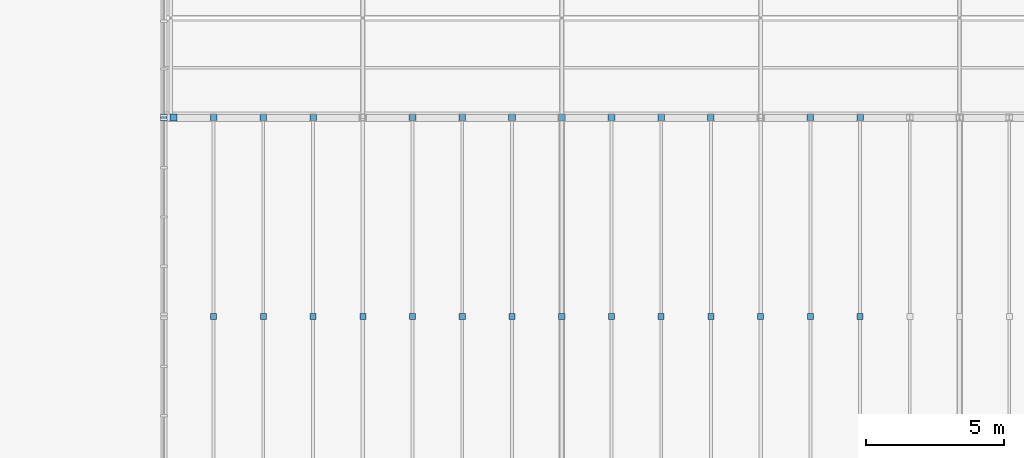
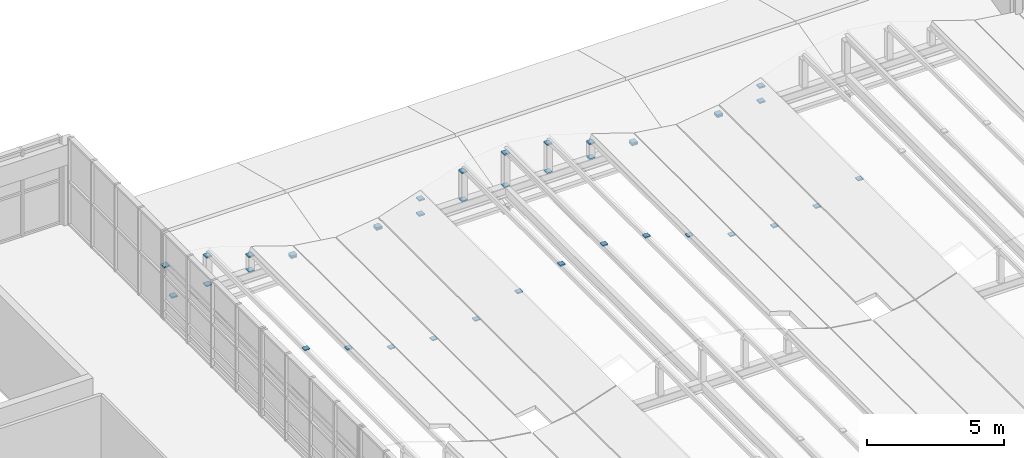
# One storey, part 72 of 83: 40 discrete accessories.
"""IFC4 building model written with IfcOpenShell, lengths in metres."""

from ifc_helpers import new_model, si_unit, direction, frame, origin, origin_2d, place, context, subcontext, project, spatial, rectangle, extrude, material, type_object, element, save


model = new_model("IFC4")

# Units and contexts
model_context = context("Model", 3, precision=1e-05, world=origin(), true_north=direction((0.0, 1.0)))
body_context = subcontext(model_context, "Body", "Model", "MODEL_VIEW")
ifc_project = project(units=[si_unit("LENGTHUNIT", "METRE"), si_unit("AREAUNIT", "SQUARE_METRE"), si_unit("VOLUMEUNIT", "CUBIC_METRE"), si_unit("PLANEANGLEUNIT", "RADIAN"), si_unit("MASSUNIT", "GRAM", prefix="KILO")], contexts=[model_context])

# Site, building, storey
site_placement = place(None, origin())
site = spatial("IfcSite", under=ifc_project, at=site_placement, CompositionType="ELEMENT")
building_placement = place(site_placement, origin())
building = spatial("IfcBuilding", under=site, at=building_placement, Name="Leyfeld Transit Interchange", CompositionType="ELEMENT")
storey_placement = place(building_placement, frame((0.0, 0.0, 5.39990234375)))
storey = spatial("IfcBuildingStorey", under=building, at=storey_placement, Name="L01", CompositionType="ELEMENT", Elevation=5.39990234375)

# Discrete accessories
ifc_material = material(Name="Steel S355J2", Category="steel")
discrete_accessory_type = type_object("IfcDiscreteAccessoryType", Name="ACC-BRK-PUR", PredefinedType="BRACKET", material=ifc_material)
for number, where, z_axis, x_axis, name in (
    (1, (101.14990234375, 43.199951171875, 0.85009765625), (0.0, 0.0, 1.0), (1.0, 0.0, 0.0), "Riser Post Base Shoe 007"),
    (2, (100.800048828125, 43.199951171875, 2.318115234375), (0.0, 0.0, 1.0), (1.0, 0.0, 0.0), "Riser Post Cap Shoe 007"),
):
    element("IfcDiscreteAccessory", number, at=place(storey_placement, frame(where, z_axis=z_axis, x_axis=x_axis)), inside=storey, type_object=discrete_accessory_type, Name=name, PredefinedType="BRACKET", context=body_context, shape_type="SweptSolid", body=[
        extrude(rectangle(XDim=0.239990234375, YDim=0.239990234375, at=origin_2d()), origin(), (0.0, 0.0, 1.0), 0.06005859375),
    ])
discrete_accessory_1_placement = place(storey_placement, frame((102.60009765625, 36.0, 2.349609375), z_axis=(0.0, 0.0, 1.0), x_axis=(1.0, 0.0, 0.0)))
element("IfcDiscreteAccessory", 3, at=discrete_accessory_1_placement, inside=storey, type_object=discrete_accessory_type, Name="Wave Shell Purlin Cleat 012", PredefinedType="BRACKET", context=body_context, shape_type="SweptSolid", body=[
    extrude(rectangle(XDim=0.219970703125, YDim=0.219970703125, at=origin_2d()), origin(), (0.0, 0.0, 1.0), 0.050048828125),
])
for number, where, z_axis, x_axis, name in (
    (4, (102.60009765625, 43.199951171875, 0.85009765625), (0.0, 0.0, 1.0), (1.0, 0.0, 0.0), "Riser Post Base Shoe 014"),
    (5, (102.60009765625, 43.199951171875, 2.1298828125), (0.0, 0.0, 1.0), (1.0, 0.0, 0.0), "Riser Post Cap Shoe 014"),
):
    element("IfcDiscreteAccessory", number, at=place(storey_placement, frame(where, z_axis=z_axis, x_axis=x_axis)), inside=storey, type_object=discrete_accessory_type, Name=name, PredefinedType="BRACKET", context=body_context, shape_type="SweptSolid", body=[
        extrude(rectangle(XDim=0.239990234375, YDim=0.239990234375, at=origin_2d()), origin(), (0.0, 0.0, 1.0), 0.06005859375),
    ])
discrete_accessory_2_placement = place(storey_placement, frame((104.39990234375, 36.0, 1.74658203125), z_axis=(0.0, 0.0, 1.0), x_axis=(1.0, 0.0, 0.0)))
element("IfcDiscreteAccessory", 6, at=discrete_accessory_2_placement, inside=storey, type_object=discrete_accessory_type, Name="Wave Shell Purlin Cleat 019", PredefinedType="BRACKET", context=body_context, shape_type="SweptSolid", body=[
    extrude(rectangle(XDim=0.219970703125, YDim=0.219970703125, at=origin_2d()), origin(), (0.0, 0.0, 1.0), 0.050048828125),
])
for number, where, z_axis, x_axis, name in (
    (7, (104.39990234375, 43.199951171875, 0.85009765625), (0.0, 0.0, 1.0), (1.0, 0.0, 0.0), "Riser Post Base Shoe 021"),
    (8, (104.39990234375, 43.199951171875, 1.526611328125), (0.0, 0.0, 1.0), (1.0, 0.0, 0.0), "Riser Post Cap Shoe 021"),
):
    element("IfcDiscreteAccessory", number, at=place(storey_placement, frame(where, z_axis=z_axis, x_axis=x_axis)), inside=storey, type_object=discrete_accessory_type, Name=name, PredefinedType="BRACKET", context=body_context, shape_type="SweptSolid", body=[
        extrude(rectangle(XDim=0.239990234375, YDim=0.239990234375, at=origin_2d()), origin(), (0.0, 0.0, 1.0), 0.06005859375),
    ])
discrete_accessory_3_placement = place(storey_placement, frame((106.199951171875, 36.0, 1.14453125), z_axis=(0.0, 0.0, 1.0), x_axis=(1.0, 0.0, 0.0)))
element("IfcDiscreteAccessory", 9, at=discrete_accessory_3_placement, inside=storey, type_object=discrete_accessory_type, Name="Wave Shell Purlin Cleat 026", PredefinedType="BRACKET", context=body_context, shape_type="SweptSolid", body=[
    extrude(rectangle(XDim=0.219970703125, YDim=0.219970703125, at=origin_2d()), origin(), (0.0, 0.0, 1.0), 0.050048828125),
])
for number, where, z_axis, x_axis, name in (
    (10, (106.199951171875, 43.199951171875, 0.85009765625), (0.0, 0.0, 1.0), (1.0, 0.0, 0.0), "Riser Post Base Shoe 028"),
    (11, (106.199951171875, 43.199951171875, 0.9248046875), (0.0, 0.0, 1.0), (1.0, 0.0, 0.0), "Riser Post Cap Shoe 028"),
):
    element("IfcDiscreteAccessory", number, at=place(storey_placement, frame(where, z_axis=z_axis, x_axis=x_axis)), inside=storey, type_object=discrete_accessory_type, Name=name, PredefinedType="BRACKET", context=body_context, shape_type="SweptSolid", body=[
        extrude(rectangle(XDim=0.239990234375, YDim=0.239990234375, at=origin_2d()), origin(), (0.0, 0.0, 1.0), 0.06005859375),
    ])
for number, where, z_axis, x_axis, name in (
    (12, (108.0, 36.0, 0.90234375), (0.0, 0.0, 1.0), (1.0, 0.0, 0.0), "Wave Shell Purlin Cleat 031"),
    (13, (109.800048828125, 36.0, 1.14453125), (0.0, 0.0, 1.0), (1.0, 0.0, 0.0), "Wave Shell Purlin Cleat 036"),
):
    element("IfcDiscreteAccessory", number, at=place(storey_placement, frame(where, z_axis=z_axis, x_axis=x_axis)), inside=storey, type_object=discrete_accessory_type, Name=name, PredefinedType="BRACKET", context=body_context, shape_type="SweptSolid", body=[
        extrude(rectangle(XDim=0.219970703125, YDim=0.219970703125, at=origin_2d()), origin(), (0.0, 0.0, 1.0), 0.050048828125),
    ])
for number, where, z_axis, x_axis, name in (
    (14, (109.800048828125, 43.199951171875, 0.85009765625), (0.0, 0.0, 1.0), (1.0, 0.0, 0.0), "Riser Post Base Shoe 038"),
    (15, (109.800048828125, 43.199951171875, 0.9248046875), (0.0, 0.0, 1.0), (1.0, 0.0, 0.0), "Riser Post Cap Shoe 038"),
):
    element("IfcDiscreteAccessory", number, at=place(storey_placement, frame(where, z_axis=z_axis, x_axis=x_axis)), inside=storey, type_object=discrete_accessory_type, Name=name, PredefinedType="BRACKET", context=body_context, shape_type="SweptSolid", body=[
        extrude(rectangle(XDim=0.239990234375, YDim=0.239990234375, at=origin_2d()), origin(), (0.0, 0.0, 1.0), 0.06005859375),
    ])
discrete_accessory_4_placement = place(storey_placement, frame((111.60009765625, 36.0, 1.74658203125), z_axis=(0.0, 0.0, 1.0), x_axis=(1.0, 0.0, 0.0)))
element("IfcDiscreteAccessory", 16, at=discrete_accessory_4_placement, inside=storey, type_object=discrete_accessory_type, Name="Wave Shell Purlin Cleat 043", PredefinedType="BRACKET", context=body_context, shape_type="SweptSolid", body=[
    extrude(rectangle(XDim=0.219970703125, YDim=0.219970703125, at=origin_2d()), origin(), (0.0, 0.0, 1.0), 0.050048828125),
])
for number, where, z_axis, x_axis, name in (
    (17, (111.60009765625, 43.199951171875, 0.85009765625), (0.0, 0.0, 1.0), (1.0, 0.0, 0.0), "Riser Post Base Shoe 045"),
    (18, (111.60009765625, 43.199951171875, 1.526611328125), (0.0, 0.0, 1.0), (1.0, 0.0, 0.0), "Riser Post Cap Shoe 045"),
):
    element("IfcDiscreteAccessory", number, at=place(storey_placement, frame(where, z_axis=z_axis, x_axis=x_axis)), inside=storey, type_object=discrete_accessory_type, Name=name, PredefinedType="BRACKET", context=body_context, shape_type="SweptSolid", body=[
        extrude(rectangle(XDim=0.239990234375, YDim=0.239990234375, at=origin_2d()), origin(), (0.0, 0.0, 1.0), 0.06005859375),
    ])
discrete_accessory_5_placement = place(storey_placement, frame((113.39990234375, 36.0, 2.349609375), z_axis=(0.0, 0.0, 1.0), x_axis=(1.0, 0.0, 0.0)))
element("IfcDiscreteAccessory", 19, at=discrete_accessory_5_placement, inside=storey, type_object=discrete_accessory_type, Name="Wave Shell Purlin Cleat 050", PredefinedType="BRACKET", context=body_context, shape_type="SweptSolid", body=[
    extrude(rectangle(XDim=0.219970703125, YDim=0.219970703125, at=origin_2d()), origin(), (0.0, 0.0, 1.0), 0.050048828125),
])
for number, where, z_axis, x_axis, name in (
    (20, (113.39990234375, 43.199951171875, 0.85009765625), (0.0, 0.0, 1.0), (1.0, 0.0, 0.0), "Riser Post Base Shoe 052"),
    (21, (113.39990234375, 43.199951171875, 2.1298828125), (0.0, 0.0, 1.0), (1.0, 0.0, 0.0), "Riser Post Cap Shoe 052"),
):
    element("IfcDiscreteAccessory", number, at=place(storey_placement, frame(where, z_axis=z_axis, x_axis=x_axis)), inside=storey, type_object=discrete_accessory_type, Name=name, PredefinedType="BRACKET", context=body_context, shape_type="SweptSolid", body=[
        extrude(rectangle(XDim=0.239990234375, YDim=0.239990234375, at=origin_2d()), origin(), (0.0, 0.0, 1.0), 0.06005859375),
    ])
discrete_accessory_6_placement = place(storey_placement, frame((115.199951171875, 36.0, 2.60791015625), z_axis=(0.0, 0.0, 1.0), x_axis=(1.0, 0.0, 0.0)))
element("IfcDiscreteAccessory", 22, at=discrete_accessory_6_placement, inside=storey, type_object=discrete_accessory_type, Name="Wave Shell Purlin Cleat 057", PredefinedType="BRACKET", context=body_context, shape_type="SweptSolid", body=[
    extrude(rectangle(XDim=0.219970703125, YDim=0.219970703125, at=origin_2d()), origin(), (0.0, 0.0, 1.0), 0.050048828125),
])
for number, where, z_axis, x_axis, name in (
    (23, (115.199951171875, 43.199951171875, 0.85009765625), (0.0, 0.0, 1.0), (1.0, 0.0, 0.0), "Riser Post Base Shoe 059"),
    (24, (115.199951171875, 43.199951171875, 2.318115234375), (0.0, 0.0, 1.0), (1.0, 0.0, 0.0), "Riser Post Cap Shoe 059"),
):
    element("IfcDiscreteAccessory", number, at=place(storey_placement, frame(where, z_axis=z_axis, x_axis=x_axis)), inside=storey, type_object=discrete_accessory_type, Name=name, PredefinedType="BRACKET", context=body_context, shape_type="SweptSolid", body=[
        extrude(rectangle(XDim=0.239990234375, YDim=0.239990234375, at=origin_2d()), origin(), (0.0, 0.0, 1.0), 0.06005859375),
    ])
discrete_accessory_7_placement = place(storey_placement, frame((117.0, 36.0, 2.349609375), z_axis=(0.0, 0.0, 1.0), x_axis=(1.0, 0.0, 0.0)))
element("IfcDiscreteAccessory", 25, at=discrete_accessory_7_placement, inside=storey, type_object=discrete_accessory_type, Name="Wave Shell Purlin Cleat 064", PredefinedType="BRACKET", context=body_context, shape_type="SweptSolid", body=[
    extrude(rectangle(XDim=0.219970703125, YDim=0.219970703125, at=origin_2d()), origin(), (0.0, 0.0, 1.0), 0.050048828125),
])
for number, where, z_axis, x_axis, name in (
    (26, (117.0, 43.199951171875, 0.85009765625), (0.0, 0.0, 1.0), (1.0, 0.0, 0.0), "Riser Post Base Shoe 066"),
    (27, (117.0, 43.199951171875, 2.1298828125), (0.0, 0.0, 1.0), (1.0, 0.0, 0.0), "Riser Post Cap Shoe 066"),
):
    element("IfcDiscreteAccessory", number, at=place(storey_placement, frame(where, z_axis=z_axis, x_axis=x_axis)), inside=storey, type_object=discrete_accessory_type, Name=name, PredefinedType="BRACKET", context=body_context, shape_type="SweptSolid", body=[
        extrude(rectangle(XDim=0.239990234375, YDim=0.239990234375, at=origin_2d()), origin(), (0.0, 0.0, 1.0), 0.06005859375),
    ])
discrete_accessory_8_placement = place(storey_placement, frame((118.800048828125, 36.0, 1.74658203125), z_axis=(0.0, 0.0, 1.0), x_axis=(1.0, 0.0, 0.0)))
element("IfcDiscreteAccessory", 28, at=discrete_accessory_8_placement, inside=storey, type_object=discrete_accessory_type, Name="Wave Shell Purlin Cleat 071", PredefinedType="BRACKET", context=body_context, shape_type="SweptSolid", body=[
    extrude(rectangle(XDim=0.219970703125, YDim=0.219970703125, at=origin_2d()), origin(), (0.0, 0.0, 1.0), 0.050048828125),
])
for number, where, z_axis, x_axis, name in (
    (29, (118.800048828125, 43.199951171875, 0.85009765625), (0.0, 0.0, 1.0), (1.0, 0.0, 0.0), "Riser Post Base Shoe 073"),
    (30, (118.800048828125, 43.199951171875, 1.526611328125), (0.0, 0.0, 1.0), (1.0, 0.0, 0.0), "Riser Post Cap Shoe 073"),
):
    element("IfcDiscreteAccessory", number, at=place(storey_placement, frame(where, z_axis=z_axis, x_axis=x_axis)), inside=storey, type_object=discrete_accessory_type, Name=name, PredefinedType="BRACKET", context=body_context, shape_type="SweptSolid", body=[
        extrude(rectangle(XDim=0.239990234375, YDim=0.239990234375, at=origin_2d()), origin(), (0.0, 0.0, 1.0), 0.06005859375),
    ])
discrete_accessory_9_placement = place(storey_placement, frame((120.60009765625, 36.0, 1.14453125), z_axis=(0.0, 0.0, 1.0), x_axis=(1.0, 0.0, 0.0)))
element("IfcDiscreteAccessory", 31, at=discrete_accessory_9_placement, inside=storey, type_object=discrete_accessory_type, Name="Wave Shell Purlin Cleat 078", PredefinedType="BRACKET", context=body_context, shape_type="SweptSolid", body=[
    extrude(rectangle(XDim=0.219970703125, YDim=0.219970703125, at=origin_2d()), origin(), (0.0, 0.0, 1.0), 0.050048828125),
])
for number, where, z_axis, x_axis, name in (
    (32, (120.60009765625, 43.199951171875, 0.85009765625), (0.0, 0.0, 1.0), (1.0, 0.0, 0.0), "Riser Post Base Shoe 080"),
    (33, (120.60009765625, 43.199951171875, 0.9248046875), (0.0, 0.0, 1.0), (1.0, 0.0, 0.0), "Riser Post Cap Shoe 080"),
):
    element("IfcDiscreteAccessory", number, at=place(storey_placement, frame(where, z_axis=z_axis, x_axis=x_axis)), inside=storey, type_object=discrete_accessory_type, Name=name, PredefinedType="BRACKET", context=body_context, shape_type="SweptSolid", body=[
        extrude(rectangle(XDim=0.239990234375, YDim=0.239990234375, at=origin_2d()), origin(), (0.0, 0.0, 1.0), 0.06005859375),
    ])
for number, where, z_axis, x_axis, name in (
    (34, (122.39990234375, 36.0, 0.90234375), (0.0, 0.0, 1.0), (1.0, 0.0, 0.0), "Wave Shell Purlin Cleat 083"),
    (35, (124.199951171875, 36.0, 1.14453125), (0.0, 0.0, 1.0), (1.0, 0.0, 0.0), "Wave Shell Purlin Cleat 088"),
):
    element("IfcDiscreteAccessory", number, at=place(storey_placement, frame(where, z_axis=z_axis, x_axis=x_axis)), inside=storey, type_object=discrete_accessory_type, Name=name, PredefinedType="BRACKET", context=body_context, shape_type="SweptSolid", body=[
        extrude(rectangle(XDim=0.219970703125, YDim=0.219970703125, at=origin_2d()), origin(), (0.0, 0.0, 1.0), 0.050048828125),
    ])
for number, where, z_axis, x_axis, name in (
    (36, (124.199951171875, 43.199951171875, 0.85009765625), (0.0, 0.0, 1.0), (1.0, 0.0, 0.0), "Riser Post Base Shoe 090"),
    (37, (124.199951171875, 43.199951171875, 0.9248046875), (0.0, 0.0, 1.0), (1.0, 0.0, 0.0), "Riser Post Cap Shoe 090"),
):
    element("IfcDiscreteAccessory", number, at=place(storey_placement, frame(where, z_axis=z_axis, x_axis=x_axis)), inside=storey, type_object=discrete_accessory_type, Name=name, PredefinedType="BRACKET", context=body_context, shape_type="SweptSolid", body=[
        extrude(rectangle(XDim=0.239990234375, YDim=0.239990234375, at=origin_2d()), origin(), (0.0, 0.0, 1.0), 0.06005859375),
    ])
discrete_accessory_10_placement = place(storey_placement, frame((126.0, 36.0, 1.74658203125), z_axis=(0.0, 0.0, 1.0), x_axis=(1.0, 0.0, 0.0)))
element("IfcDiscreteAccessory", 38, at=discrete_accessory_10_placement, inside=storey, type_object=discrete_accessory_type, Name="Wave Shell Purlin Cleat 095", PredefinedType="BRACKET", context=body_context, shape_type="SweptSolid", body=[
    extrude(rectangle(XDim=0.219970703125, YDim=0.219970703125, at=origin_2d()), origin(), (0.0, 0.0, 1.0), 0.050048828125),
])
for number, where, z_axis, x_axis, name in (
    (39, (126.0, 43.199951171875, 0.85009765625), (0.0, 0.0, 1.0), (1.0, 0.0, 0.0), "Riser Post Base Shoe 097"),
    (40, (126.0, 43.199951171875, 1.526611328125), (0.0, 0.0, 1.0), (1.0, 0.0, 0.0), "Riser Post Cap Shoe 097"),
):
    element("IfcDiscreteAccessory", number, at=place(storey_placement, frame(where, z_axis=z_axis, x_axis=x_axis)), inside=storey, type_object=discrete_accessory_type, Name=name, PredefinedType="BRACKET", context=body_context, shape_type="SweptSolid", body=[
        extrude(rectangle(XDim=0.239990234375, YDim=0.239990234375, at=origin_2d()), origin(), (0.0, 0.0, 1.0), 0.06005859375),
    ])

save(model, "model.ifc")
